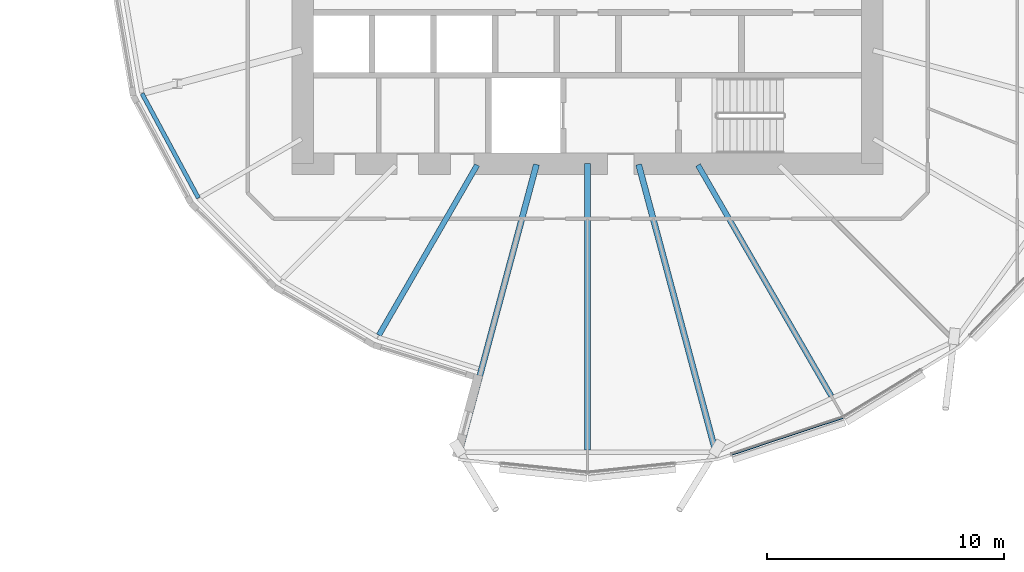
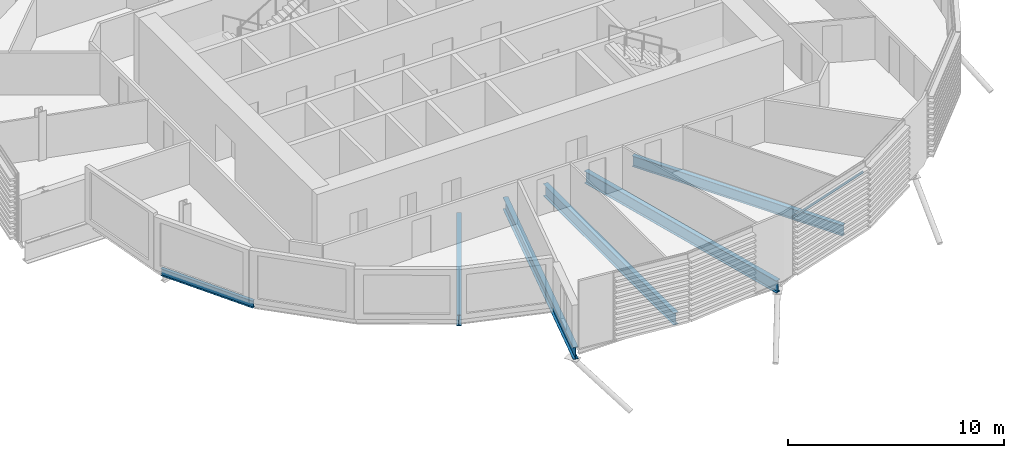
# One storey, part 4 of 38: 6 beams, 1 member, 1 element without a shape of its own.
"""IFC4 building model written with IfcOpenShell, lengths in metres."""

import ifcopenshell
import ifcopenshell.guid

model = None  # the IFC model being written
_history = None  # IfcOwnerHistory: only IFC2X3 demands one
_inside = {}  # id of a spatial element -> (the spatial element, [elements in it])
_under = {}  # id of a project, library or spatial element -> (it, [spatial elements below it])
_declared = {}  # id of a project -> (the project, [libraries it declares])
_typed = {}  # id of a type object -> (the type object, [elements of that type])
_made_of = {}  # id of a material, layer set ... -> (it, [elements and type objects made of it])


def new_model(schema):
    """Start an empty IFC model of exactly this schema.

    Asked for "IFC4X3", IfcOpenShell would pick the latest addendum, in which some entities
    have other attributes; the version numbers below select the first issue.
    IFC2X3 requires an IfcOwnerHistory on every rooted entity: one is made here for all.
    """
    global model, _history
    if schema == "IFC4X3":
        model = ifcopenshell.file(schema_version=(4, 3, 0, 0))
    else:
        model = ifcopenshell.file(schema=schema)
    _inside.clear()
    _under.clear()
    _declared.clear()
    _typed.clear()
    _made_of.clear()
    _history = None
    if model.schema == "IFC2X3":
        org = make("IfcOrganization", Name="unknown")
        user = make(
            "IfcPersonAndOrganization",
            ThePerson=make("IfcPerson", FamilyName="unknown"),
            TheOrganization=org,
        )
        app = make(
            "IfcApplication",
            ApplicationDeveloper=org,
            Version="unknown",
            ApplicationFullName="unknown",
            ApplicationIdentifier="unknown",
        )
        _history = make(
            "IfcOwnerHistory",
            OwningUser=user,
            OwningApplication=app,
            ChangeAction="ADDED",
            CreationDate=0,
        )
    return model


def make(cls, **values):
    """One entity of the class cls with the attributes given. An attribute that is None is left unset."""
    return model.create_entity(
        cls, **{name: value for name, value in values.items() if value is not None}
    )


def rooted(cls, **values):
    """An entity with a GlobalId (a new one), such as an element, a storey or a relation."""
    return make(cls, GlobalId=ifcopenshell.guid.new(), OwnerHistory=_history, **values)


def si_unit(unit_type, name, prefix=None):
    """IfcSIUnit, for example si_unit("LENGTHUNIT", "METRE", prefix="MILLI")."""
    return make("IfcSIUnit", UnitType=unit_type, Prefix=prefix, Name=name)


def assignment(units):
    """IfcUnitAssignment: the units of a project."""
    return None if units is None else make("IfcUnitAssignment", Units=units)


def point(xyz):
    """IfcCartesianPoint."""
    return None if xyz is None else make("IfcCartesianPoint", Coordinates=xyz)


def direction(xyz):
    """IfcDirection."""
    return None if xyz is None else make("IfcDirection", DirectionRatios=xyz)


def frame(location, z_axis=None, x_axis=None):
    """IfcAxis2Placement3D, a coordinate frame: its origin and axes. An axis left out is left unset."""
    return make(
        "IfcAxis2Placement3D",
        Location=point(location),
        Axis=direction(z_axis),
        RefDirection=direction(x_axis),
    )


def frame_2d(location, x_axis=None):
    """IfcAxis2Placement2D, a coordinate frame in the plane: its origin and x axis."""
    return make(
        "IfcAxis2Placement2D", Location=point(location), RefDirection=direction(x_axis)
    )


def origin():
    """The frame at (0, 0, 0) with its axes left unset."""
    return frame((0.0, 0.0, 0.0))


def origin_2d():
    """The frame at (0, 0) in the plane with its x axis left unset."""
    return frame_2d((0.0, 0.0))


def place(relative_to, where):
    """IfcLocalPlacement: puts the frame where relative to a parent placement (None: the world)."""
    return make(
        "IfcLocalPlacement", PlacementRelTo=relative_to, RelativePlacement=where
    )


def context(
    kind, dimensions, precision=None, world=None, true_north=None, identifier=None
):
    """IfcGeometricRepresentationContext, for example the 3D "Model" context."""
    return make(
        "IfcGeometricRepresentationContext",
        ContextIdentifier=identifier,
        ContextType=kind,
        CoordinateSpaceDimension=dimensions,
        Precision=precision,
        WorldCoordinateSystem=world,
        TrueNorth=true_north,
    )


def subcontext(parent, identifier, kind, view, scale=None):
    """IfcGeometricRepresentationSubContext, for example "Body" below "Model"."""
    return make(
        "IfcGeometricRepresentationSubContext",
        ContextIdentifier=identifier,
        ContextType=kind,
        ParentContext=parent,
        TargetScale=scale,
        TargetView=view,
    )


def project(units=None, contexts=None):
    """IfcProject with its units and contexts."""
    return rooted(
        "IfcProject",
        Name="project",
        RepresentationContexts=contexts,
        UnitsInContext=assignment(units),
    )


def spatial(cls, under=None, at=None, **own):
    """A site, building, storey or space (cls), placed at a placement, below another one or the project."""
    s = rooted(cls, ObjectPlacement=at, **own)
    if under is not None:
        _under.setdefault(under.id(), (under, []))[1].append(s)
    return s


def profile(cls, at=None, kind="AREA", **sizes):
    """A parametric profile (cls). Its sizes go by their IFC names, for example OverallWidth=200.0."""
    return make(cls, ProfileType=kind, Position=at, **sizes)


def rectangle(**sizes):
    """IfcRectangleProfileDef."""
    return profile("IfcRectangleProfileDef", **sizes)


def i_section(**sizes):
    """IfcIShapeProfileDef."""
    return profile("IfcIShapeProfileDef", **sizes)


def extrude(swept, where, along, depth):
    """IfcExtrudedAreaSolid: the profile swept, set in the frame where, extruded along a direction by depth."""
    return make(
        "IfcExtrudedAreaSolid",
        SweptArea=swept,
        Position=where,
        ExtrudedDirection=direction(along),
        Depth=depth,
    )


def shape(context_of_items, identifier, shape_type, items):
    """IfcShapeRepresentation: the items that make up one representation, for example the "Body"."""
    return make(
        "IfcShapeRepresentation",
        ContextOfItems=context_of_items,
        RepresentationIdentifier=identifier,
        RepresentationType=shape_type,
        Items=items,
    )


def material(Name=None, Category=None):
    """IfcMaterial."""
    return make("IfcMaterial", Name=Name, Category=Category)


def material_profile(
    of_material, cross_section, Name=None, Category=None, Priority=None
):
    """IfcMaterialProfile: a cross section and its material."""
    return make(
        "IfcMaterialProfile",
        Name=Name,
        Material=of_material,
        Profile=cross_section,
        Priority=Priority,
        Category=Category,
    )


def profile_set(profiles, Name=None, composite=None):
    """IfcMaterialProfileSet."""
    return make(
        "IfcMaterialProfileSet",
        Name=Name,
        MaterialProfiles=profiles,
        CompositeProfile=composite,
    )


def made_of(thing, what):
    """Note that an element or type object is made of a material, layer set ...; save() writes the relation."""
    if what is not None:
        _made_of.setdefault(what.id(), (what, []))[1].append(thing)
    return thing


def type_object(cls, material=None, **own):
    """A type object (cls), such as IfcWallType, which elements share."""
    return made_of(rooted(cls, **own), material)


def element(
    cls,
    number,
    at=None,
    inside=None,
    cuts=None,
    type_object=None,
    material=None,
    context=None,
    identifier="Body",
    shape_type=None,
    held_by="IfcProductDefinitionShape",
    body=None,
    shapes=None,
    **own,
):
    """One element of the class cls, such as IfcWall. Its Tag is "e" and its number.

    at: its placement. inside: the storey or other place that contains it. cuts: it is an
    opening in that element (IfcRelVoidsElement). A single representation is given by context,
    identifier, shape_type and body (its items); several are given by shapes. held_by: the class
    of the entity that holds the representations. save() writes the other relations.
    """
    e = rooted(cls, Tag="e%d" % number, ObjectPlacement=at, **own)
    if body is not None:
        shapes = [shape(context, identifier, shape_type, body)]
    if shapes is not None:
        e.Representation = make(held_by, Representations=shapes)
    if inside is not None:
        _inside.setdefault(inside.id(), (inside, []))[1].append(e)
    if cuts is not None:
        rooted(
            "IfcRelVoidsElement", RelatingBuildingElement=cuts, RelatedOpeningElement=e
        )
    if type_object is not None:
        _typed.setdefault(type_object.id(), (type_object, []))[1].append(e)
    return made_of(e, material)


def aggregate(whole, parts):
    """IfcRelAggregates: a whole, such as a stair, and the parts it consists of."""
    return rooted("IfcRelAggregates", RelatingObject=whole, RelatedObjects=parts)


def save(model, path):
    """Write the relations noted so far, then the file.

    IfcRelAggregates (storeys below a building ...), IfcRelContainedInSpatialStructure (elements
    in a storey), IfcRelDefinesByType, IfcRelAssociatesMaterial and IfcRelDeclares: one each for
    every whole, place, type object, material and project.
    """
    for whole, parts in _under.values():
        aggregate(whole, parts)
    for where, things in _inside.values():
        rooted(
            "IfcRelContainedInSpatialStructure",
            RelatedElements=things,
            RelatingStructure=where,
        )
    for kind, things in _typed.values():
        rooted("IfcRelDefinesByType", RelatedObjects=things, RelatingType=kind)
    for what, things in _made_of.values():
        rooted("IfcRelAssociatesMaterial", RelatedObjects=things, RelatingMaterial=what)
    for by, libraries in _declared.values():
        rooted("IfcRelDeclares", RelatingContext=by, RelatedDefinitions=libraries)
    model.write(path)


model = new_model("IFC4")

# Units and contexts
model_context = context("Model", 3, precision=1e-05, world=origin(), true_north=direction((0.0, 1.0)))
body_context = subcontext(model_context, "Body", "Model", "MODEL_VIEW")
ifc_project = project(units=[si_unit("LENGTHUNIT", "METRE"), si_unit("AREAUNIT", "SQUARE_METRE"), si_unit("VOLUMEUNIT", "CUBIC_METRE"), si_unit("PLANEANGLEUNIT", "RADIAN"), si_unit("MASSUNIT", "GRAM", prefix="KILO")], contexts=[model_context])

# Site, building, storey
site_placement = place(None, origin())
site = spatial("IfcSite", under=ifc_project, at=site_placement, CompositionType="ELEMENT")
building_placement = place(site_placement, origin())
building = spatial("IfcBuilding", under=site, at=building_placement, Name="Rimbun Link Towers", CompositionType="ELEMENT")
storey_placement = place(building_placement, frame((0.0, 0.0, 71.800048828125)))
storey = spatial("IfcBuildingStorey", under=building, at=storey_placement, Name="L17", CompositionType="ELEMENT", Elevation=71.800048828125)

# Curtain wall, member
ifc_material_1 = material(Name="Aluminium 6063-T6 and low-iron glass", Category="aluminium")
curtain_wall_type = type_object("IfcCurtainWallType", Name="CW1 unitised vision wall", PredefinedType="NOTDEFINED", material=ifc_material_1)
curtain_wall_placement = place(storey_placement, origin())
curtain_wall = element("IfcCurtainWall", 1, at=curtain_wall_placement, inside=storey, type_object=curtain_wall_type, Name="CW1 L17 T1", PredefinedType="NOTDEFINED")
ifc_material_2 = material(Name="Aluminium 6063-T6", Category="aluminium")
ifc_material_profile_1 = material_profile(ifc_material_2, rectangle(XDim=0.06005859375, YDim=0.1201171875, at=origin_2d()), Name="TRANSOM 60X120")
ifc_profile_set_1 = profile_set([ifc_material_profile_1], Name="Aluminium 6063-T6")
member_type = type_object("IfcMemberType", Name="CW1 transom 60X120", PredefinedType="USERDEFINED", material=ifc_profile_set_1)
member_placement = place(storey_placement, frame((-20.9951171875, -18.7099609375, 3.199951171875), z_axis=(-0.949232441731, -0.314575541906, 0.0), x_axis=(0.314575541906, -0.949232441731, 0.0)))
member = element("IfcMember", 2, at=member_placement, type_object=member_type, Name="CW1 transom", ObjectType="TRANSOM", PredefinedType="USERDEFINED", context=body_context, shape_type="SweptSolid", body=[
    extrude(rectangle(XDim=0.06005859375, YDim=0.1201171875, at=origin_2d()), origin(), (0.0, 0.0, 1.0), 4.921875),
])
aggregate(curtain_wall, [member])

# Beams
ifc_material_3 = material(Name="Steel S355J2", Category="steel")
ifc_material_profile_2 = material_profile(ifc_material_3, i_section(OverallWidth=0.177978515625, OverallDepth=0.406494140625, WebThickness=0.0078125, FlangeThickness=0.0126953125, at=origin_2d()), Name="UB 406x178x60")
ifc_profile_set_2 = profile_set([ifc_material_profile_2], Name="Steel S355J2")
beam_type_1 = type_object("IfcBeamType", Name="UB 406x178x60", PredefinedType="BEAM", material=ifc_profile_set_2)
beam_1_placement = place(storey_placement, frame((-50.52001953125, -5.045166015625, -0.36328125), z_axis=(0.474885218183, -0.880047742768, 0.0), x_axis=(0.880047742768, 0.474885218183, 0.0)))
element("IfcBeam", 3, at=beam_1_placement, inside=storey, type_object=beam_type_1, Name="Edge beam T1 L17 13 recess", PredefinedType="BEAM", context=body_context, shape_type="SweptSolid", body=[
    extrude(i_section(OverallWidth=0.177978515625, OverallDepth=0.406494140625, WebThickness=0.0078125, FlangeThickness=0.0126953125, at=origin_2d()), origin(), (0.0, 0.0, 1.0), 5.003662109375),
])
ifc_material_4 = material(Name="Steel S355J2", Category="steel")
ifc_material_profile_3 = material_profile(ifc_material_4, i_section(OverallWidth=0.2275390625, OverallDepth=0.6025390625, WebThickness=0.010498046875, FlangeThickness=0.014892578125, at=origin_2d()), Name="UB 610x229x101")
ifc_profile_set_3 = profile_set([ifc_material_profile_3], Name="Steel S355J2")
beam_type_2 = type_object("IfcBeamType", Name="UB 610x229x101", PredefinedType="BEAM", material=ifc_profile_set_3)
beam_2_placement = place(storey_placement, frame((-36.402099609375, -8.057861328125, -0.46142578125), z_axis=(-0.500008344384, -0.866020586098, 0.0), x_axis=(0.866020586098, -0.500008344384, 0.0)))
element("IfcBeam", 4, at=beam_2_placement, inside=storey, type_object=beam_type_2, Name="Radial beam T1 L17 16", PredefinedType="BEAM", context=body_context, shape_type="SweptSolid", body=[
    extrude(i_section(OverallWidth=0.2275390625, OverallDepth=0.6025390625, WebThickness=0.010498046875, FlangeThickness=0.014892578125, at=origin_2d()), origin(), (0.0, 0.0, 1.0), 8.279052734375),
])
beam_3_placement = place(storey_placement, frame((-27.097900390625, -8.057861328125, -0.46142578125), z_axis=(0.50001148964, -0.866018770136, 0.0), x_axis=(0.866018770136, 0.50001148964, 0.0)))
element("IfcBeam", 5, at=beam_3_placement, inside=storey, type_object=beam_type_2, Name="Radial beam T1 L17 20", PredefinedType="BEAM", context=body_context, shape_type="SweptSolid", body=[
    extrude(i_section(OverallWidth=0.2275390625, OverallDepth=0.6025390625, WebThickness=0.010498046875, FlangeThickness=0.014892578125, at=origin_2d()), origin(), (0.0, 0.0, 1.0), 11.235595703125),
])
ifc_material_5 = material(Name="Steel S355J2", Category="steel")
ifc_material_profile_4 = material_profile(ifc_material_5, i_section(OverallWidth=0.253662109375, OverallDepth=0.68359375, WebThickness=0.012451171875, FlangeThickness=0.01904296875, at=origin_2d()), Name="UB 686x254x140")
ifc_profile_set_4 = profile_set([ifc_material_profile_4], Name="Steel S355J2")
beam_type_3 = type_object("IfcBeamType", Name="UB 686x254x140", PredefinedType="BEAM", material=ifc_profile_set_4)
beam_4_placement = place(storey_placement, frame((-33.902587890625, -8.03369140625, -0.501953125), z_axis=(-0.258813870741, -0.96592721274, 0.0), x_axis=(0.96592721274, -0.258813870741, 0.0)))
element("IfcBeam", 6, at=beam_4_placement, inside=storey, type_object=beam_type_3, Name="Radial beam T1 L17 17", PredefinedType="BEAM", context=body_context, shape_type="SweptSolid", body=[
    extrude(i_section(OverallWidth=0.253662109375, OverallDepth=0.68359375, WebThickness=0.012451171875, FlangeThickness=0.01904296875, at=origin_2d()), origin(), (0.0, 0.0, 1.0), 12.55078125),
])
beam_5_placement = place(storey_placement, frame((-31.75, -8.0009765625, -0.501953125), z_axis=(0.0, -1.0, 0.0), x_axis=(1.0, 0.0, 0.0)))
element("IfcBeam", 7, at=beam_5_placement, inside=storey, type_object=beam_type_3, Name="Radial beam T1 L17 18", PredefinedType="BEAM", context=body_context, shape_type="SweptSolid", body=[
    extrude(i_section(OverallWidth=0.253662109375, OverallDepth=0.68359375, WebThickness=0.012451171875, FlangeThickness=0.01904296875, at=origin_2d()), origin(), (0.0, 0.0, 1.0), 12.06591796875),
])
beam_6_placement = place(storey_placement, frame((-29.597412109375, -8.03369140625, -0.501953125), z_axis=(0.258813870741, -0.96592721274, 0.0), x_axis=(0.96592721274, 0.258813870741, 0.0)))
element("IfcBeam", 8, at=beam_6_placement, inside=storey, type_object=beam_type_3, Name="Radial beam T1 L17 19", PredefinedType="BEAM", context=body_context, shape_type="SweptSolid", body=[
    extrude(i_section(OverallWidth=0.253662109375, OverallDepth=0.68359375, WebThickness=0.012451171875, FlangeThickness=0.01904296875, at=origin_2d()), origin(), (0.0, 0.0, 1.0), 12.55078125),
])

save(model, "model.ifc")
